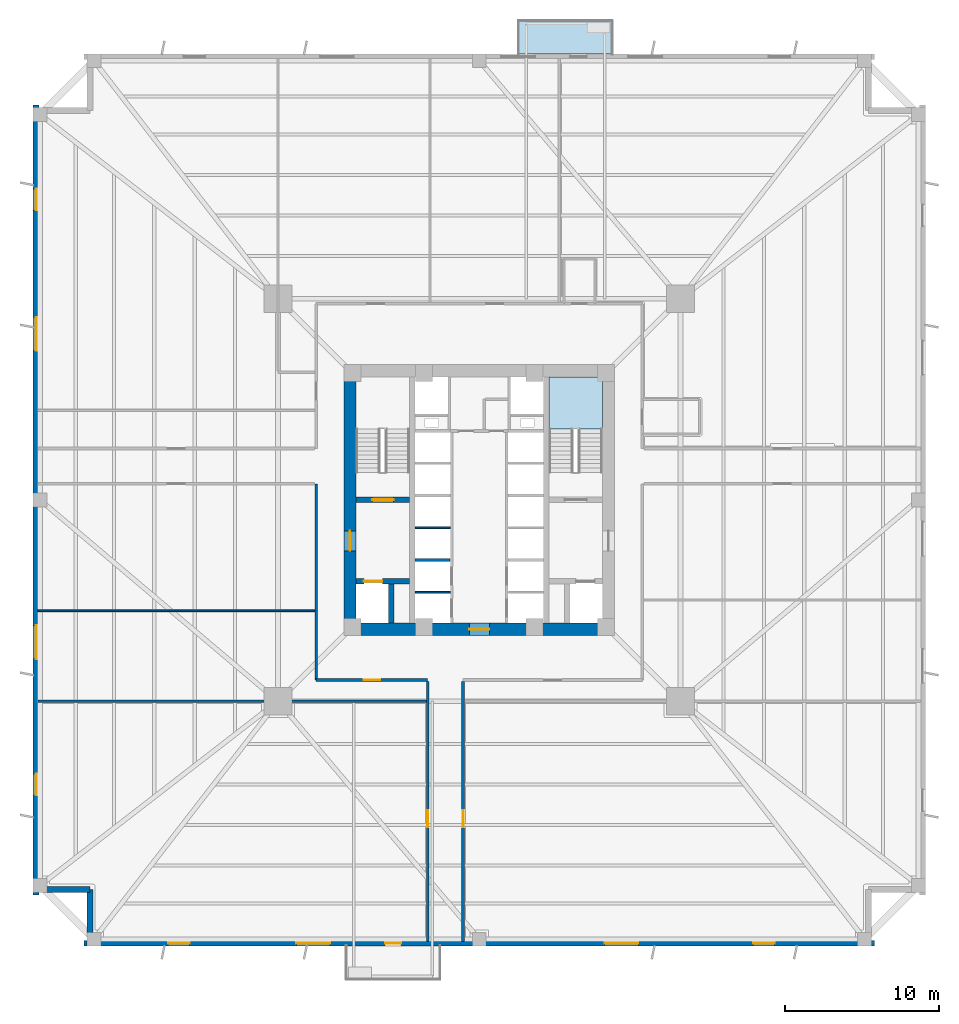
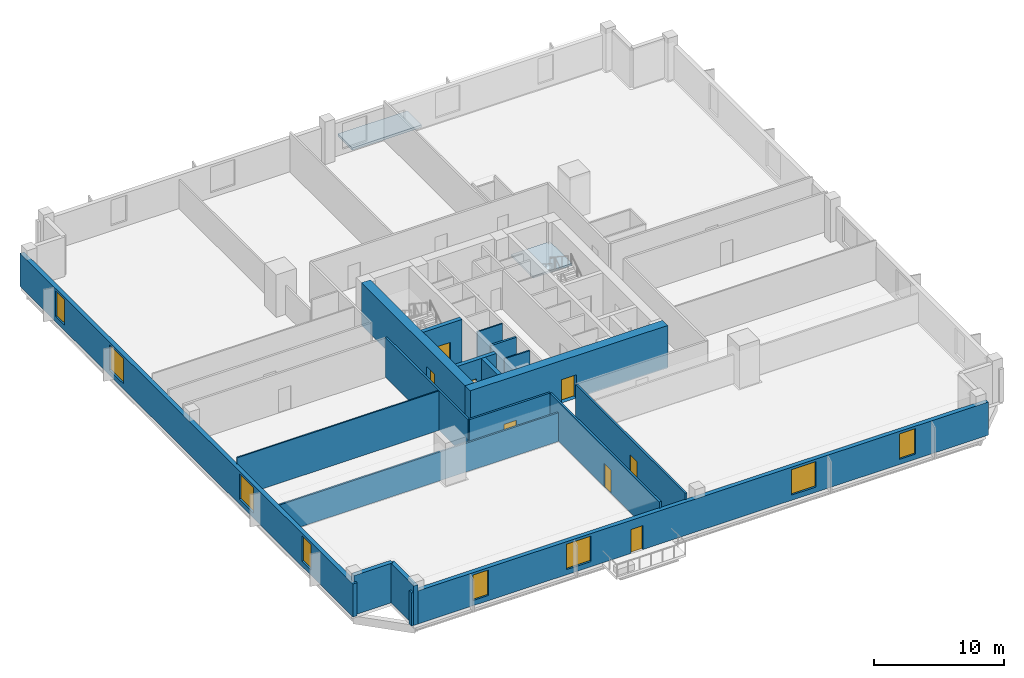
# One storey, part 2 of 8: 18 walls, 8 doors, 8 windows, 2 slabs, 16 openings, 1 element without a shape of its own.
"""IFC4 building model written with IfcOpenShell, lengths in metres."""

import ifcopenshell
import ifcopenshell.guid

model = None  # the IFC model being written
_history = None  # IfcOwnerHistory: only IFC2X3 demands one
_inside = {}  # id of a spatial element -> (the spatial element, [elements in it])
_under = {}  # id of a project, library or spatial element -> (it, [spatial elements below it])
_declared = {}  # id of a project -> (the project, [libraries it declares])
_typed = {}  # id of a type object -> (the type object, [elements of that type])
_made_of = {}  # id of a material, layer set ... -> (it, [elements and type objects made of it])


def new_model(schema):
    """Start an empty IFC model of exactly this schema.

    Asked for "IFC4X3", IfcOpenShell would pick the latest addendum, in which some entities
    have other attributes; the version numbers below select the first issue.
    IFC2X3 requires an IfcOwnerHistory on every rooted entity: one is made here for all.
    """
    global model, _history
    if schema == "IFC4X3":
        model = ifcopenshell.file(schema_version=(4, 3, 0, 0))
    else:
        model = ifcopenshell.file(schema=schema)
    _inside.clear()
    _under.clear()
    _declared.clear()
    _typed.clear()
    _made_of.clear()
    _history = None
    if model.schema == "IFC2X3":
        org = make("IfcOrganization", Name="unknown")
        user = make(
            "IfcPersonAndOrganization",
            ThePerson=make("IfcPerson", FamilyName="unknown"),
            TheOrganization=org,
        )
        app = make(
            "IfcApplication",
            ApplicationDeveloper=org,
            Version="unknown",
            ApplicationFullName="unknown",
            ApplicationIdentifier="unknown",
        )
        _history = make(
            "IfcOwnerHistory",
            OwningUser=user,
            OwningApplication=app,
            ChangeAction="ADDED",
            CreationDate=0,
        )
    return model


def make(cls, **values):
    """One entity of the class cls with the attributes given. An attribute that is None is left unset."""
    return model.create_entity(
        cls, **{name: value for name, value in values.items() if value is not None}
    )


def rooted(cls, **values):
    """An entity with a GlobalId (a new one), such as an element, a storey or a relation."""
    return make(cls, GlobalId=ifcopenshell.guid.new(), OwnerHistory=_history, **values)


def si_unit(unit_type, name, prefix=None):
    """IfcSIUnit, for example si_unit("LENGTHUNIT", "METRE", prefix="MILLI")."""
    return make("IfcSIUnit", UnitType=unit_type, Prefix=prefix, Name=name)


def assignment(units):
    """IfcUnitAssignment: the units of a project."""
    return None if units is None else make("IfcUnitAssignment", Units=units)


def point(xyz):
    """IfcCartesianPoint."""
    return None if xyz is None else make("IfcCartesianPoint", Coordinates=xyz)


def direction(xyz):
    """IfcDirection."""
    return None if xyz is None else make("IfcDirection", DirectionRatios=xyz)


def frame(location, z_axis=None, x_axis=None):
    """IfcAxis2Placement3D, a coordinate frame: its origin and axes. An axis left out is left unset."""
    return make(
        "IfcAxis2Placement3D",
        Location=point(location),
        Axis=direction(z_axis),
        RefDirection=direction(x_axis),
    )


def frame_2d(location, x_axis=None):
    """IfcAxis2Placement2D, a coordinate frame in the plane: its origin and x axis."""
    return make(
        "IfcAxis2Placement2D", Location=point(location), RefDirection=direction(x_axis)
    )


def origin():
    """The frame at (0, 0, 0) with its axes left unset."""
    return frame((0.0, 0.0, 0.0))


def place(relative_to, where):
    """IfcLocalPlacement: puts the frame where relative to a parent placement (None: the world)."""
    return make(
        "IfcLocalPlacement", PlacementRelTo=relative_to, RelativePlacement=where
    )


def context(
    kind, dimensions, precision=None, world=None, true_north=None, identifier=None
):
    """IfcGeometricRepresentationContext, for example the 3D "Model" context."""
    return make(
        "IfcGeometricRepresentationContext",
        ContextIdentifier=identifier,
        ContextType=kind,
        CoordinateSpaceDimension=dimensions,
        Precision=precision,
        WorldCoordinateSystem=world,
        TrueNorth=true_north,
    )


def subcontext(parent, identifier, kind, view, scale=None):
    """IfcGeometricRepresentationSubContext, for example "Body" below "Model"."""
    return make(
        "IfcGeometricRepresentationSubContext",
        ContextIdentifier=identifier,
        ContextType=kind,
        ParentContext=parent,
        TargetScale=scale,
        TargetView=view,
    )


def project(units=None, contexts=None):
    """IfcProject with its units and contexts."""
    return rooted(
        "IfcProject",
        Name="project",
        RepresentationContexts=contexts,
        UnitsInContext=assignment(units),
    )


def spatial(cls, under=None, at=None, **own):
    """A site, building, storey or space (cls), placed at a placement, below another one or the project."""
    s = rooted(cls, ObjectPlacement=at, **own)
    if under is not None:
        _under.setdefault(under.id(), (under, []))[1].append(s)
    return s


def polyline(points):
    """IfcPolyline through the points."""
    return make("IfcPolyline", Points=[point(p) for p in points])


def profile(cls, at=None, kind="AREA", **sizes):
    """A parametric profile (cls). Its sizes go by their IFC names, for example OverallWidth=200.0."""
    return make(cls, ProfileType=kind, Position=at, **sizes)


def rectangle(**sizes):
    """IfcRectangleProfileDef."""
    return profile("IfcRectangleProfileDef", **sizes)


def outline(outer, holes=None, kind="AREA"):
    """IfcArbitraryClosedProfileDef: a profile drawn as a closed curve; with holes, ...WithVoids."""
    if holes is None:
        return make("IfcArbitraryClosedProfileDef", ProfileType=kind, OuterCurve=outer)
    return make(
        "IfcArbitraryProfileDefWithVoids",
        ProfileType=kind,
        OuterCurve=outer,
        InnerCurves=holes,
    )


def extrude(swept, where, along, depth):
    """IfcExtrudedAreaSolid: the profile swept, set in the frame where, extruded along a direction by depth."""
    return make(
        "IfcExtrudedAreaSolid",
        SweptArea=swept,
        Position=where,
        ExtrudedDirection=direction(along),
        Depth=depth,
    )


def shape(context_of_items, identifier, shape_type, items):
    """IfcShapeRepresentation: the items that make up one representation, for example the "Body"."""
    return make(
        "IfcShapeRepresentation",
        ContextOfItems=context_of_items,
        RepresentationIdentifier=identifier,
        RepresentationType=shape_type,
        Items=items,
    )


def source(mapping_origin, context_of_items, identifier, shape_type, items):
    """IfcRepresentationMap: a shape defined once, which mapped items show again and again."""
    return make(
        "IfcRepresentationMap",
        MappingOrigin=mapping_origin,
        MappedRepresentation=shape(context_of_items, identifier, shape_type, items),
    )


def transform(
    local_origin,
    x_axis=None,
    y_axis=None,
    z_axis=None,
    scale=None,
    scale2=None,
    scale3=None,
    uniform=True,
):
    """IfcCartesianTransformationOperator3D, or its non-uniform kind. x_axis, y_axis, z_axis: its Axis1, 2, 3."""
    if uniform:
        return make(
            "IfcCartesianTransformationOperator3D",
            Axis1=direction(x_axis),
            Axis2=direction(y_axis),
            LocalOrigin=point(local_origin),
            Scale=scale,
            Axis3=direction(z_axis),
        )
    return make(
        "IfcCartesianTransformationOperator3DnonUniform",
        Axis1=direction(x_axis),
        Axis2=direction(y_axis),
        LocalOrigin=point(local_origin),
        Scale=scale,
        Axis3=direction(z_axis),
        Scale2=scale2,
        Scale3=scale3,
    )


def mapped(mapping_source, mapping_target):
    """IfcMappedItem: shows the shape of a source again, moved by a transform."""
    return make(
        "IfcMappedItem", MappingSource=mapping_source, MappingTarget=mapping_target
    )


def material(Name=None, Category=None):
    """IfcMaterial."""
    return make("IfcMaterial", Name=Name, Category=Category)


def layer(
    of_material, thickness, ventilated=None, Name=None, Category=None, Priority=None
):
    """IfcMaterialLayer: one layer of a wall or slab, of a material (None: an air gap)."""
    return make(
        "IfcMaterialLayer",
        Material=of_material,
        LayerThickness=thickness,
        IsVentilated=ventilated,
        Name=Name,
        Category=Category,
        Priority=Priority,
    )


def layer_set(layers, Name=None):
    """IfcMaterialLayerSet."""
    return make("IfcMaterialLayerSet", MaterialLayers=layers, LayerSetName=Name)


def made_of(thing, what):
    """Note that an element or type object is made of a material, layer set ...; save() writes the relation."""
    if what is not None:
        _made_of.setdefault(what.id(), (what, []))[1].append(thing)
    return thing


def type_object(cls, material=None, **own):
    """A type object (cls), such as IfcWallType, which elements share."""
    return made_of(rooted(cls, **own), material)


def element(
    cls,
    number,
    at=None,
    inside=None,
    cuts=None,
    type_object=None,
    material=None,
    context=None,
    identifier="Body",
    shape_type=None,
    held_by="IfcProductDefinitionShape",
    body=None,
    shapes=None,
    **own,
):
    """One element of the class cls, such as IfcWall. Its Tag is "e" and its number.

    at: its placement. inside: the storey or other place that contains it. cuts: it is an
    opening in that element (IfcRelVoidsElement). A single representation is given by context,
    identifier, shape_type and body (its items); several are given by shapes. held_by: the class
    of the entity that holds the representations. save() writes the other relations.
    """
    e = rooted(cls, Tag="e%d" % number, ObjectPlacement=at, **own)
    if body is not None:
        shapes = [shape(context, identifier, shape_type, body)]
    if shapes is not None:
        e.Representation = make(held_by, Representations=shapes)
    if inside is not None:
        _inside.setdefault(inside.id(), (inside, []))[1].append(e)
    if cuts is not None:
        rooted(
            "IfcRelVoidsElement", RelatingBuildingElement=cuts, RelatedOpeningElement=e
        )
    if type_object is not None:
        _typed.setdefault(type_object.id(), (type_object, []))[1].append(e)
    return made_of(e, material)


def fill(opening, filler):
    """IfcRelFillsElement: the door or window that sits in an opening."""
    return rooted(
        "IfcRelFillsElement",
        RelatingOpeningElement=opening,
        RelatedBuildingElement=filler,
    )


def aggregate(whole, parts):
    """IfcRelAggregates: a whole, such as a stair, and the parts it consists of."""
    return rooted("IfcRelAggregates", RelatingObject=whole, RelatedObjects=parts)


def save(model, path):
    """Write the relations noted so far, then the file.

    IfcRelAggregates (storeys below a building ...), IfcRelContainedInSpatialStructure (elements
    in a storey), IfcRelDefinesByType, IfcRelAssociatesMaterial and IfcRelDeclares: one each for
    every whole, place, type object, material and project.
    """
    for whole, parts in _under.values():
        aggregate(whole, parts)
    for where, things in _inside.values():
        rooted(
            "IfcRelContainedInSpatialStructure",
            RelatedElements=things,
            RelatingStructure=where,
        )
    for kind, things in _typed.values():
        rooted("IfcRelDefinesByType", RelatedObjects=things, RelatingType=kind)
    for what, things in _made_of.values():
        rooted("IfcRelAssociatesMaterial", RelatedObjects=things, RelatingMaterial=what)
    for by, libraries in _declared.values():
        rooted("IfcRelDeclares", RelatingContext=by, RelatedDefinitions=libraries)
    model.write(path)


model = new_model("IFC4")

# Units and contexts
model_context = context("Model", 3, precision=1e-05, world=origin(), true_north=direction((0.0, 1.0)))
body_context = subcontext(model_context, "Body", "Model", "MODEL_VIEW")
ifc_project = project(units=[si_unit("LENGTHUNIT", "METRE"), si_unit("AREAUNIT", "SQUARE_METRE"), si_unit("VOLUMEUNIT", "CUBIC_METRE"), si_unit("PLANEANGLEUNIT", "RADIAN"), si_unit("MASSUNIT", "GRAM", prefix="KILO"), si_unit("THERMODYNAMICTEMPERATUREUNIT", "KELVIN")], contexts=[model_context])

# Site, building, storey
site_placement = place(None, origin())
site = spatial("IfcSite", under=ifc_project, at=site_placement, CompositionType="ELEMENT")
building_placement = place(site_placement, origin())
building = spatial("IfcBuilding", under=site, at=building_placement, Name="Kosmvard Interchange Tower", CompositionType="ELEMENT")
storey_placement = place(building_placement, frame((0.0, 0.0, 66.0)))
storey = spatial("IfcBuildingStorey", under=building, at=storey_placement, Name="L15", CompositionType="ELEMENT", Elevation=66.0)

# Stair, slab
ifc_material_1 = material(Name="Concrete C50/60", Category="concrete")
stair_type = type_object("IfcStairType", Name="Dog-Leg Core Exit Stair H4000 C50/60", PredefinedType="HALF_TURN_STAIR", material=ifc_material_1)
stair_placement = place(storey_placement, origin())
stair = element("IfcStair", 1, at=stair_placement, inside=storey, type_object=stair_type, Name="L15 Protected Exit Stair ST-2", PredefinedType="HALF_TURN_STAIR")
ifc_layer_1 = layer(ifc_material_1, 0.199951171875, Name="Concrete C50/60")
ifc_layer_set_1 = layer_set([ifc_layer_1], Name="Concrete C50/60")
slab_type_1 = type_object("IfcSlabType", Name="Stair Half-Landing Slab 200 C50/60", PredefinedType="LANDING", material=ifc_layer_set_1)
slab_1_placement = place(storey_placement, frame((0.0, 0.0, 1.800048828125)))
slab_1 = element("IfcSlab", 2, at=slab_1_placement, type_object=slab_type_1, Name="ST-2 landing 1", PredefinedType="LANDING", context=body_context, shape_type="SweptSolid", body=[
    extrude(outline(polyline([(8.0, 4.60009765625), (8.0, 8.0), (4.5400390625, 8.0), (4.5400390625, 4.60009765625), (8.0, 4.60009765625)])), origin(), (0.0, 0.0, 1.0), 0.199951171875),
])
aggregate(stair, [slab_1])

# Slab
ifc_layer_2 = layer(ifc_material_1, 0.22998046875, Name="Concrete C50/60")
ifc_layer_set_2 = layer_set([ifc_layer_2], Name="Concrete C50/60")
slab_type_2 = type_object("IfcSlabType", Name="Tree-Planter Cantilever Balcony Slab 230 C50/60", PredefinedType="FLOOR", material=ifc_layer_set_2)
slab_2_placement = place(storey_placement, frame((0.0, 0.0, -0.22998046875)))
element("IfcSlab", 3, at=slab_2_placement, inside=storey, type_object=slab_type_2, Name="L15 Outdoor Terrace Balcony Slab BAL-L15-N", PredefinedType="FLOOR", context=body_context, shape_type="SweptSolid", body=[
    extrude(outline(polyline([(2.5, 29.0), (8.699951171875, 29.0), (8.699951171875, 31.199951171875), (2.5, 31.199951171875), (2.5, 29.0)])), origin(), (0.0, 0.0, 1.0), 0.22998046875),
])

# Wall
ifc_material_2 = material(Name="Acoustic gypsum partition system")
ifc_layer_3 = layer(ifc_material_2, 0.14990234375, Name="Acoustic gypsum partition system")
ifc_layer_set_3 = layer_set([ifc_layer_3], Name="Acoustic gypsum partition system")
wall_type_1 = type_object("IfcWallType", Name="Acoustic Suite & Meeting Partition 150", PredefinedType="PARTITIONING", material=ifc_layer_set_3)
wall_1_placement = place(storey_placement, frame((-28.68505859375, -13.0810546875, 0.0), z_axis=(0.0, 0.0, 1.0), x_axis=(1.0, 0.0, 0.0)))
element("IfcWall", 4, at=wall_1_placement, inside=storey, type_object=wall_type_1, Name="L15 Room Partition 08.1", PredefinedType="PARTITIONING", context=body_context, shape_type="SweptSolid", body=[
    extrude(rectangle(XDim=25.239990234375, YDim=0.14990234375, at=frame_2d((12.6201171875, 0.0))), origin(), (0.0, 0.0, 1.0), 2.7119140625),
])

# Wall, opening, door
ifc_material_3 = material(Name="Fire-rated gypsum partition system")
ifc_layer_4 = layer(ifc_material_3, 0.179931640625, Name="Fire-rated gypsum partition system")
ifc_layer_set_4 = layer_set([ifc_layer_4], Name="Fire-rated gypsum partition system")
wall_type_2 = type_object("IfcWallType", Name="Corridor & Hotel Compartment Partition 180", PredefinedType="PARTITIONING", material=ifc_layer_set_4)
wall_2_placement = place(storey_placement, frame((-10.60009765625, -11.699951171875, 0.0), z_axis=(0.0, 0.0, 1.0), x_axis=(1.0, 0.0, 0.0)))
wall_2 = element("IfcWall", 5, at=wall_2_placement, inside=storey, type_object=wall_type_2, Name="L15 Corridor Wall CSW", PredefinedType="PARTITIONING", context=body_context, shape_type="SweptSolid", body=[
    extrude(rectangle(XDim=7.25, YDim=0.179931640625, at=frame_2d((3.625, 0.0))), origin(), (0.0, 0.0, 1.0), 3.719970703125),
])
opening_1_placement = place(wall_2_placement, frame((3.074951171875, 0.0, 0.0)))
opening_1 = element("IfcOpeningElement", 6, at=opening_1_placement, cuts=wall_2, Name="Opening L15-D12", PredefinedType="OPENING", context=body_context, shape_type="SweptSolid", body=[
    extrude(rectangle(XDim=1.10009765625, YDim=2.199951171875, at=frame_2d((0.550048828125, 1.10009765625))), frame((0.0, 0.10009765625, 0.0), z_axis=(0.0, -1.0, 0.0), x_axis=(1.0, 0.0, 0.0)), (0.0, 0.0, 1.0), 0.199951171875),
])
ifc_material_4 = material(Name="Engineered oak fire-rated timber", Category="wood")
door_type_1 = type_object("IfcDoorType", Name="Office Suite Entrance Door 1100x2200 FD30S", OperationType="NOTDEFINED", PredefinedType="DOOR", material=ifc_material_4)
shared_shape_1 = source(origin(), body_context, "Body", "SweptSolid", [
    extrude(rectangle(XDim=1.10009765625, YDim=2.199951171875, at=frame_2d((0.550048828125, 1.10009765625))), frame((0.0, 0.02490234375, 0.0), z_axis=(0.0, -1.0, 0.0), x_axis=(1.0, 0.0, 0.0)), (0.0, 0.0, 1.0), 0.050048828125),
])
door_1_placement = place(opening_1_placement, frame((1.10009765625, 0.0, 0.0), z_axis=(0.0, 0.0, 1.0), x_axis=(-1.0, 0.0, 0.0)))
door_1 = element("IfcDoor", 7, at=door_1_placement, inside=storey, type_object=door_type_1, Name="L15 West Team Office 4 Door", OperationType="SINGLE_SWING_RIGHT", OverallHeight=2.199951171875, OverallWidth=1.10009765625, PredefinedType="DOOR", context=body_context, shape_type="MappedRepresentation", body=[
    mapped(shared_shape_1, transform((0.0, 0.0, 0.0), scale=1.0)),
])
fill(opening_1, door_1)

# Wall
wall_3_placement = place(storey_placement, frame((-10.60009765625, -11.699951171875, 0.0), z_axis=(0.0, 0.0, 1.0), x_axis=(0.0, 1.0, 0.0)))
element("IfcWall", 8, at=wall_3_placement, inside=storey, type_object=wall_type_2, Name="L15 Corridor Wall CWS", PredefinedType="PARTITIONING", context=body_context, shape_type="SweptSolid", body=[
    extrude(rectangle(XDim=12.75, YDim=0.179931640625, at=frame_2d((6.375, 0.0))), origin(), (0.0, 0.0, 1.0), 3.719970703125),
])

# Wall, opening, door
wall_4_placement = place(storey_placement, frame((-3.35009765625, -28.68505859375, 0.0), z_axis=(0.0, 0.0, 1.0), x_axis=(0.0, 1.0, 0.0)))
wall_4 = element("IfcWall", 9, at=wall_4_placement, inside=storey, type_object=wall_type_2, Name="L15 Corridor Wall SSW", PredefinedType="PARTITIONING", context=body_context, shape_type="SweptSolid", body=[
    extrude(rectangle(XDim=16.885009765625, YDim=0.179931640625, at=frame_2d((8.4423828125, 0.0))), origin(), (0.0, 0.0, 1.0), 3.719970703125),
])
opening_2_placement = place(wall_4_placement, frame((7.41650390625, 0.0, 0.0)))
opening_2 = element("IfcOpeningElement", 10, at=opening_2_placement, cuts=wall_4, Name="Opening L15-D13", PredefinedType="OPENING", context=body_context, shape_type="SweptSolid", body=[
    extrude(rectangle(XDim=1.10009765625, YDim=2.199951171875, at=frame_2d((0.550048828125, 1.10009765625))), frame((0.0, 0.10009765625, 0.0), z_axis=(0.0, -1.0, 0.0), x_axis=(1.0, 0.0, 0.0)), (0.0, 0.0, 1.0), 0.199951171875),
])
door_2_placement = place(opening_2_placement, origin())
door_2 = element("IfcDoor", 11, at=door_2_placement, inside=storey, type_object=door_type_1, Name="L15 South-West Corner Office Door", OperationType="SINGLE_SWING_LEFT", OverallHeight=2.199951171875, OverallWidth=1.10009765625, PredefinedType="DOOR", context=body_context, shape_type="MappedRepresentation", body=[
    mapped(shared_shape_1, transform((0.0, 0.0, 0.0), scale=1.0)),
])
fill(opening_2, door_2)

wall_5_placement = place(storey_placement, frame((-1.050048828125, -28.68505859375, 0.0), z_axis=(0.0, 0.0, 1.0), x_axis=(0.0, 1.0, 0.0)))
wall_5 = element("IfcWall", 12, at=wall_5_placement, inside=storey, type_object=wall_type_2, Name="L15 Corridor Wall SSE", PredefinedType="PARTITIONING", context=body_context, shape_type="SweptSolid", body=[
    extrude(rectangle(XDim=16.885009765625, YDim=0.179931640625, at=frame_2d((8.4423828125, 0.0))), origin(), (0.0, 0.0, 1.0), 3.719970703125),
])
opening_3_placement = place(wall_5_placement, frame((7.41650390625, 0.0, 0.0)))
opening_3 = element("IfcOpeningElement", 13, at=opening_3_placement, cuts=wall_5, Name="Opening L15-D10", PredefinedType="OPENING", context=body_context, shape_type="SweptSolid", body=[
    extrude(rectangle(XDim=1.10009765625, YDim=2.199951171875, at=frame_2d((0.550048828125, 1.10009765625))), frame((0.0, 0.10009765625, 0.0), z_axis=(0.0, -1.0, 0.0), x_axis=(1.0, 0.0, 0.0)), (0.0, 0.0, 1.0), 0.199951171875),
])
door_3_placement = place(opening_3_placement, frame((1.10009765625, 0.0, 0.0), z_axis=(0.0, 0.0, 1.0), x_axis=(-1.0, 0.0, 0.0)))
door_3 = element("IfcDoor", 14, at=door_3_placement, inside=storey, type_object=door_type_1, Name="L15 South-East Corner Office Door", OperationType="SINGLE_SWING_RIGHT", OverallHeight=2.199951171875, OverallWidth=1.10009765625, PredefinedType="DOOR", context=body_context, shape_type="MappedRepresentation", body=[
    mapped(shared_shape_1, transform((0.0, 0.0, 0.0), scale=1.0)),
])
fill(opening_3, door_3)

ifc_material_5 = material(Name="Concrete C80/95", Category="concrete")
ifc_layer_5 = layer(ifc_material_5, 0.800048828125, Name="Concrete C80/95")
ifc_layer_set_5 = layer_set([ifc_layer_5], Name="Concrete C80/95")
wall_type_3 = type_object("IfcWallType", Name="Lower Core Shear Wall 800 C80/95", PredefinedType="SHEAR", material=ifc_layer_set_5)
wall_6_placement = place(storey_placement, frame((-8.800048828125, -8.39990234375, 0.0), z_axis=(0.0, 0.0, 1.0), x_axis=(1.0, 0.0, 0.0)))
wall_6 = element("IfcWall", 15, at=wall_6_placement, inside=storey, type_object=wall_type_3, Name="L15 Core Shear Wall CW-S", PredefinedType="SHEAR", context=body_context, shape_type="SweptSolid", body=[
    extrude(rectangle(XDim=17.60009765625, YDim=0.800048828125, at=frame_2d((8.800048828125, 0.0))), origin(), (0.0, 0.0, 1.0), 4.0),
])
opening_4_placement = place(wall_6_placement, frame((8.14990234375, 0.0, 0.0)))
opening_4 = element("IfcOpeningElement", 16, at=opening_4_placement, cuts=wall_6, Name="Opening L15-LD0", PredefinedType="OPENING", context=body_context, shape_type="SweptSolid", body=[
    extrude(rectangle(XDim=1.300048828125, YDim=2.199951171875, at=frame_2d((0.64990234375, 1.10009765625))), frame((0.0, 0.41015625, 0.0), z_axis=(0.0, -1.0, 0.0), x_axis=(1.0, 0.0, 0.0)), (0.0, 0.0, 1.0), 0.820068359375),
])
ifc_material_6 = material(Name="Painted fire-rated steel leaf", Category="steel")
door_type_2 = type_object("IfcDoorType", Name="Firefighting Lobby Door 1300x2200 EI60", OperationType="NOTDEFINED", PredefinedType="DOOR", material=ifc_material_6)
shared_shape_2 = source(origin(), body_context, "Body", "SweptSolid", [
    extrude(rectangle(XDim=1.300048828125, YDim=2.199951171875, at=frame_2d((0.64990234375, 1.10009765625))), frame((0.0, 0.02490234375, 0.0), z_axis=(0.0, -1.0, 0.0), x_axis=(1.0, 0.0, 0.0)), (0.0, 0.0, 1.0), 0.050048828125),
])
door_4_placement = place(opening_4_placement, frame((1.300048828125, 0.0, 0.0), z_axis=(0.0, 0.0, 1.0), x_axis=(-1.0, 0.0, 0.0)))
door_4 = element("IfcDoor", 17, at=door_4_placement, inside=storey, type_object=door_type_2, Name="L15 Passenger Lift Lobby South Door", OperationType="SINGLE_SWING_RIGHT", OverallHeight=2.199951171875, OverallWidth=1.300048828125, PredefinedType="DOOR", context=body_context, shape_type="MappedRepresentation", body=[
    mapped(shared_shape_2, transform((0.0, 0.0, 0.0), scale=1.0)),
])
fill(opening_4, door_4)

wall_7_placement = place(storey_placement, frame((-8.39990234375, -8.0, 0.0), z_axis=(0.0, 0.0, 1.0), x_axis=(0.0, 1.0, 0.0)))
wall_7 = element("IfcWall", 18, at=wall_7_placement, inside=storey, type_object=wall_type_3, Name="L15 Core Shear Wall CW-W", PredefinedType="SHEAR", context=body_context, shape_type="SweptSolid", body=[
    extrude(rectangle(XDim=16.0, YDim=0.800048828125, at=frame_2d((8.0, 0.0))), origin(), (0.0, 0.0, 1.0), 4.0),
])
opening_5_placement = place(wall_7_placement, frame((4.68994140625, 0.0, 0.0)))
opening_5 = element("IfcOpeningElement", 19, at=opening_5_placement, cuts=wall_7, Name="Opening L15-FD1", PredefinedType="OPENING", context=body_context, shape_type="SweptSolid", body=[
    extrude(rectangle(XDim=1.300048828125, YDim=2.199951171875, at=frame_2d((0.64990234375, 1.10009765625))), frame((0.0, 0.41015625, 0.0), z_axis=(0.0, -1.0, 0.0), x_axis=(1.0, 0.0, 0.0)), (0.0, 0.0, 1.0), 0.820068359375),
])
door_5_placement = place(opening_5_placement, frame((1.300048828125, 0.0, 0.0), z_axis=(0.0, 0.0, 1.0), x_axis=(-1.0, 0.0, 0.0)))
door_5 = element("IfcDoor", 20, at=door_5_placement, inside=storey, type_object=door_type_2, Name="L15 Firefighting Lobby West Door", OperationType="SINGLE_SWING_LEFT", OverallHeight=2.199951171875, OverallWidth=1.300048828125, PredefinedType="DOOR", context=body_context, shape_type="MappedRepresentation", body=[
    mapped(shared_shape_2, transform((0.0, 0.0, 0.0), scale=1.0)),
])
fill(opening_5, door_5)

# Wall, openings, door, windows
ifc_material_7 = material(Name="Precast concrete C45/55", Category="concrete")
ifc_layer_6 = layer(ifc_material_7, 0.3798828125, Name="Precast concrete C45/55")
ifc_layer_set_6 = layer_set([ifc_layer_6], Name="Precast concrete C45/55")
wall_type_4 = type_object("IfcWallType", Name="Lower Tower Precast Pier Wall 380 C45/55", PredefinedType="STANDARD", material=ifc_layer_set_6)
wall_8_placement = place(storey_placement, frame((-25.68994140625, -28.81005859375, 0.0), z_axis=(0.0, 0.0, 1.0), x_axis=(1.0, 0.0, 0.0)))
wall_8 = element("IfcWall", 21, at=wall_8_placement, inside=storey, type_object=wall_type_4, Name="L15 Precast Facade Wall F-S", PredefinedType="STANDARD", context=body_context, shape_type="SweptSolid", body=[
    extrude(rectangle(XDim=51.3798828125, YDim=0.3798828125, at=frame_2d((25.68994140625, 0.0))), origin(), (0.0, 0.0, 1.0), 3.1201171875),
])
opening_6_placement = place(wall_8_placement, frame((19.56494140625, 0.0, 0.0)))
opening_6 = element("IfcOpeningElement", 22, at=opening_6_placement, cuts=wall_8, Name="Opening L15-BDS", PredefinedType="OPENING", context=body_context, shape_type="SweptSolid", body=[
    extrude(rectangle(XDim=1.050048828125, YDim=2.25, at=frame_2d((0.52490234375, 1.125))), frame((0.0, 0.199951171875, 0.0), z_axis=(0.0, -1.0, 0.0), x_axis=(1.0, 0.0, 0.0)), (0.0, 0.0, 1.0), 0.39990234375),
])
opening_7_placement = place(wall_8_placement, frame((5.465576171875, 0.0, 0.489990234375)))
opening_7 = element("IfcOpeningElement", 23, at=opening_7_placement, cuts=wall_8, Name="Opening L15-W01", PredefinedType="OPENING", context=body_context, shape_type="SweptSolid", body=[
    extrude(rectangle(XDim=1.39990234375, YDim=2.39990234375, at=frame_2d((0.699951171875, 1.199951171875))), frame((0.0, 0.199951171875, 0.0), z_axis=(0.0, -1.0, 0.0), x_axis=(1.0, 0.0, 0.0)), (0.0, 0.0, 1.0), 0.39990234375),
])
opening_8_placement = place(wall_8_placement, frame((13.80029296875, 0.0, 0.489990234375)))
opening_8 = element("IfcOpeningElement", 24, at=opening_8_placement, cuts=wall_8, Name="Opening L15-W02", PredefinedType="OPENING", context=body_context, shape_type="SweptSolid", body=[
    extrude(rectangle(XDim=2.199951171875, YDim=2.39990234375, at=frame_2d((1.10009765625, 1.199951171875))), frame((0.0, 0.199951171875, 0.0), z_axis=(0.0, -1.0, 0.0), x_axis=(1.0, 0.0, 0.0)), (0.0, 0.0, 1.0), 0.39990234375),
])
opening_9_placement = place(wall_8_placement, frame((33.83837890625, 0.0, 0.489990234375)))
opening_9 = element("IfcOpeningElement", 25, at=opening_9_placement, cuts=wall_8, Name="Opening L15-W03", PredefinedType="OPENING", context=body_context, shape_type="SweptSolid", body=[
    extrude(rectangle(XDim=2.199951171875, YDim=2.39990234375, at=frame_2d((1.10009765625, 1.199951171875))), frame((0.0, 0.199951171875, 0.0), z_axis=(0.0, -1.0, 0.0), x_axis=(1.0, 0.0, 0.0)), (0.0, 0.0, 1.0), 0.39990234375),
])
opening_10_placement = place(wall_8_placement, frame((43.48681640625, 0.0, 0.489990234375)))
opening_10 = element("IfcOpeningElement", 26, at=opening_10_placement, cuts=wall_8, Name="Opening L15-W04", PredefinedType="OPENING", context=body_context, shape_type="SweptSolid", body=[
    extrude(rectangle(XDim=1.39990234375, YDim=2.39990234375, at=frame_2d((0.699951171875, 1.199951171875))), frame((0.0, 0.199951171875, 0.0), z_axis=(0.0, -1.0, 0.0), x_axis=(1.0, 0.0, 0.0)), (0.0, 0.0, 1.0), 0.39990234375),
])
ifc_material_8 = material(Name="Anodised aluminium and safety glass", Category="aluminium")
door_type_3 = type_object("IfcDoorType", Name="Tree-Balcony Glazed Door 1050x2250", OperationType="NOTDEFINED", PredefinedType="DOOR", material=ifc_material_8)
shared_shape_3 = source(origin(), body_context, "Body", "SweptSolid", [
    extrude(rectangle(XDim=1.050048828125, YDim=2.25, at=frame_2d((0.52490234375, 1.125))), frame((0.0, 0.02490234375, 0.0), z_axis=(0.0, -1.0, 0.0), x_axis=(1.0, 0.0, 0.0)), (0.0, 0.0, 1.0), 0.050048828125),
])
door_6_placement = place(opening_6_placement, origin())
door_6 = element("IfcDoor", 27, at=door_6_placement, inside=storey, type_object=door_type_3, Name="L15 Tree-Balcony Door BAL-L15-S", OperationType="SINGLE_SWING_RIGHT", OverallHeight=2.25, OverallWidth=1.050048828125, PredefinedType="DOOR", context=body_context, shape_type="MappedRepresentation", body=[
    mapped(shared_shape_3, transform((0.0, 0.0, 0.0), scale=1.0)),
])
fill(opening_6, door_6)
ifc_material_9 = material(Name="Low-E solar-control double glazing", Category="glass")
window_type_1 = type_object("IfcWindowType", Name="Notched Corner Feature Window 1400x2400", PartitioningType="SINGLE_PANEL", PredefinedType="WINDOW", material=ifc_material_9)
shared_shape_4 = source(origin(), body_context, "Body", "SweptSolid", [
    extrude(rectangle(XDim=1.39990234375, YDim=2.39990234375, at=frame_2d((0.699951171875, 1.199951171875))), frame((0.0, 0.030029296875, 0.0), z_axis=(0.0, -1.0, 0.0), x_axis=(1.0, 0.0, 0.0)), (0.0, 0.0, 1.0), 0.06005859375),
])
window_1_placement = place(opening_7_placement, origin())
window_1 = element("IfcWindow", 28, at=window_1_placement, inside=storey, type_object=window_type_1, Name="L15 Facade Punched Window 01", OverallHeight=2.39990234375, OverallWidth=1.39990234375, PartitioningType="SINGLE_PANEL", PredefinedType="WINDOW", context=body_context, shape_type="MappedRepresentation", body=[
    mapped(shared_shape_4, transform((0.0, 0.0, 0.0), scale=1.0)),
])
fill(opening_7, window_1)
window_2_placement = place(opening_10_placement, origin())
window_2 = element("IfcWindow", 29, at=window_2_placement, inside=storey, type_object=window_type_1, Name="L15 Facade Punched Window 04", OverallHeight=2.39990234375, OverallWidth=1.39990234375, PartitioningType="SINGLE_PANEL", PredefinedType="WINDOW", context=body_context, shape_type="MappedRepresentation", body=[
    mapped(shared_shape_4, transform((0.0, 0.0, 0.0), scale=1.0)),
])
fill(opening_10, window_2)
window_type_2 = type_object("IfcWindowType", Name="Zone 1 Office Punched Window 2200x2400", PartitioningType="SINGLE_PANEL", PredefinedType="WINDOW", material=ifc_material_9)
shared_shape_5 = source(origin(), body_context, "Body", "SweptSolid", [
    extrude(rectangle(XDim=2.199951171875, YDim=2.39990234375, at=frame_2d((1.10009765625, 1.199951171875))), frame((0.0, 0.030029296875, 0.0), z_axis=(0.0, -1.0, 0.0), x_axis=(1.0, 0.0, 0.0)), (0.0, 0.0, 1.0), 0.06005859375),
])
window_3_placement = place(opening_8_placement, origin())
window_3 = element("IfcWindow", 30, at=window_3_placement, inside=storey, type_object=window_type_2, Name="L15 Facade Punched Window 02", OverallHeight=2.39990234375, OverallWidth=2.199951171875, PartitioningType="SINGLE_PANEL", PredefinedType="WINDOW", context=body_context, shape_type="MappedRepresentation", body=[
    mapped(shared_shape_5, transform((0.0, 0.0, 0.0), scale=1.0)),
])
fill(opening_8, window_3)
window_4_placement = place(opening_9_placement, origin())
window_4 = element("IfcWindow", 31, at=window_4_placement, inside=storey, type_object=window_type_2, Name="L15 Facade Punched Window 03", OverallHeight=2.39990234375, OverallWidth=2.199951171875, PartitioningType="SINGLE_PANEL", PredefinedType="WINDOW", context=body_context, shape_type="MappedRepresentation", body=[
    mapped(shared_shape_5, transform((0.0, 0.0, 0.0), scale=1.0)),
])
fill(opening_9, window_4)

# Wall, openings, windows
wall_9_placement = place(storey_placement, frame((-28.81005859375, 25.68994140625, 0.0), z_axis=(0.0, 0.0, 1.0), x_axis=(0.0, -1.0, 0.0)))
wall_9 = element("IfcWall", 32, at=wall_9_placement, inside=storey, type_object=wall_type_4, Name="L15 Precast Facade Wall F-W", PredefinedType="STANDARD", context=body_context, shape_type="SweptSolid", body=[
    extrude(rectangle(XDim=51.3798828125, YDim=0.3798828125, at=frame_2d((25.68994140625, 0.0))), origin(), (0.0, 0.0, 1.0), 3.1201171875),
])
opening_11_placement = place(wall_9_placement, frame((5.465576171875, 0.0, 0.489990234375)))
opening_11 = element("IfcOpeningElement", 33, at=opening_11_placement, cuts=wall_9, Name="Opening L15-W15", PredefinedType="OPENING", context=body_context, shape_type="SweptSolid", body=[
    extrude(rectangle(XDim=1.39990234375, YDim=2.39990234375, at=frame_2d((0.699951171875, 1.199951171875))), frame((0.0, 0.199951171875, 0.0), z_axis=(0.0, -1.0, 0.0), x_axis=(1.0, 0.0, 0.0)), (0.0, 0.0, 1.0), 0.39990234375),
])
opening_12_placement = place(wall_9_placement, frame((13.80029296875, 0.0, 0.489990234375)))
opening_12 = element("IfcOpeningElement", 34, at=opening_12_placement, cuts=wall_9, Name="Opening L15-W16", PredefinedType="OPENING", context=body_context, shape_type="SweptSolid", body=[
    extrude(rectangle(XDim=2.199951171875, YDim=2.39990234375, at=frame_2d((1.10009765625, 1.199951171875))), frame((0.0, 0.199951171875, 0.0), z_axis=(0.0, -1.0, 0.0), x_axis=(1.0, 0.0, 0.0)), (0.0, 0.0, 1.0), 0.39990234375),
])
opening_13_placement = place(wall_9_placement, frame((33.83837890625, 0.0, 0.489990234375)))
opening_13 = element("IfcOpeningElement", 35, at=opening_13_placement, cuts=wall_9, Name="Opening L15-W17", PredefinedType="OPENING", context=body_context, shape_type="SweptSolid", body=[
    extrude(rectangle(XDim=2.199951171875, YDim=2.39990234375, at=frame_2d((1.10009765625, 1.199951171875))), frame((0.0, 0.199951171875, 0.0), z_axis=(0.0, -1.0, 0.0), x_axis=(1.0, 0.0, 0.0)), (0.0, 0.0, 1.0), 0.39990234375),
])
opening_14_placement = place(wall_9_placement, frame((43.48681640625, 0.0, 0.489990234375)))
opening_14 = element("IfcOpeningElement", 36, at=opening_14_placement, cuts=wall_9, Name="Opening L15-W18", PredefinedType="OPENING", context=body_context, shape_type="SweptSolid", body=[
    extrude(rectangle(XDim=1.39990234375, YDim=2.39990234375, at=frame_2d((0.699951171875, 1.199951171875))), frame((0.0, 0.199951171875, 0.0), z_axis=(0.0, -1.0, 0.0), x_axis=(1.0, 0.0, 0.0)), (0.0, 0.0, 1.0), 0.39990234375),
])
window_5_placement = place(opening_11_placement, origin())
window_5 = element("IfcWindow", 37, at=window_5_placement, inside=storey, type_object=window_type_1, Name="L15 Facade Punched Window 15", OverallHeight=2.39990234375, OverallWidth=1.39990234375, PartitioningType="SINGLE_PANEL", PredefinedType="WINDOW", context=body_context, shape_type="MappedRepresentation", body=[
    mapped(shared_shape_4, transform((0.0, 0.0, 0.0), scale=1.0)),
])
fill(opening_11, window_5)
window_6_placement = place(opening_14_placement, origin())
window_6 = element("IfcWindow", 38, at=window_6_placement, inside=storey, type_object=window_type_1, Name="L15 Facade Punched Window 18", OverallHeight=2.39990234375, OverallWidth=1.39990234375, PartitioningType="SINGLE_PANEL", PredefinedType="WINDOW", context=body_context, shape_type="MappedRepresentation", body=[
    mapped(shared_shape_4, transform((0.0, 0.0, 0.0), scale=1.0)),
])
fill(opening_14, window_6)
window_7_placement = place(opening_12_placement, origin())
window_7 = element("IfcWindow", 39, at=window_7_placement, inside=storey, type_object=window_type_2, Name="L15 Facade Punched Window 16", OverallHeight=2.39990234375, OverallWidth=2.199951171875, PartitioningType="SINGLE_PANEL", PredefinedType="WINDOW", context=body_context, shape_type="MappedRepresentation", body=[
    mapped(shared_shape_5, transform((0.0, 0.0, 0.0), scale=1.0)),
])
fill(opening_12, window_7)
window_8_placement = place(opening_13_placement, origin())
window_8 = element("IfcWindow", 40, at=window_8_placement, inside=storey, type_object=window_type_2, Name="L15 Facade Punched Window 17", OverallHeight=2.39990234375, OverallWidth=2.199951171875, PartitioningType="SINGLE_PANEL", PredefinedType="WINDOW", context=body_context, shape_type="MappedRepresentation", body=[
    mapped(shared_shape_5, transform((0.0, 0.0, 0.0), scale=1.0)),
])
fill(opening_13, window_8)

# Walls
wall_10_placement = place(storey_placement, frame((-28.81005859375, -25.31005859375, 0.0), z_axis=(0.0, 0.0, 1.0), x_axis=(1.0, 0.0, 0.0)))
element("IfcWall", 41, at=wall_10_placement, inside=storey, type_object=wall_type_4, Name="L15 Precast Facade Wall N-SW1", PredefinedType="STANDARD", context=body_context, shape_type="SweptSolid", body=[
    extrude(rectangle(XDim=3.5, YDim=0.3798828125, at=frame_2d((1.75, 0.0))), origin(), (0.0, 0.0, 1.0), 3.719970703125),
])
wall_11_placement = place(storey_placement, frame((-25.31005859375, -25.31005859375, 0.0), z_axis=(0.0, 0.0, 1.0), x_axis=(0.0, -1.0, 0.0)))
element("IfcWall", 42, at=wall_11_placement, inside=storey, type_object=wall_type_4, Name="L15 Precast Facade Wall N-SW2", PredefinedType="STANDARD", context=body_context, shape_type="SweptSolid", body=[
    extrude(rectangle(XDim=3.68994140625, YDim=0.3798828125, at=frame_2d((1.844970703125, 0.0))), origin(), (0.0, 0.0, 1.0), 3.719970703125),
])
ifc_material_10 = material(Name="Gypsum board partition system")
ifc_layer_7 = layer(ifc_material_10, 0.1201171875, Name="Gypsum board partition system")
ifc_layer_set_7 = layer_set([ifc_layer_7], Name="Gypsum board partition system")
wall_type_5 = type_object("IfcWallType", Name="Office Cellular Partition 120", PredefinedType="PARTITIONING", material=ifc_layer_set_7)
wall_12_placement = place(storey_placement, frame((-28.68505859375, -7.199951171875, 0.0), z_axis=(0.0, 0.0, 1.0), x_axis=(1.0, 0.0, 0.0)))
element("IfcWall", 43, at=wall_12_placement, inside=storey, type_object=wall_type_5, Name="L15 Room Partition 09.1", PredefinedType="PARTITIONING", context=body_context, shape_type="SweptSolid", body=[
    extrude(rectangle(XDim=17.989990234375, YDim=0.1201171875, at=frame_2d((8.9951171875, 0.0))), origin(), (0.0, 0.0, 1.0), 3.719970703125),
])
ifc_material_11 = material(Name="Concrete blockwork masonry", Category="masonry")
ifc_layer_8 = layer(ifc_material_11, 0.179931640625, Name="Concrete blockwork masonry")
ifc_layer_set_8 = layer_set([ifc_layer_8], Name="Concrete blockwork masonry")
wall_type_6 = type_object("IfcWallType", Name="Riser & Lift Bank Divider Wall 180", PredefinedType="PARTITIONING", material=ifc_layer_set_8)
wall_13_placement = place(storey_placement, frame((-4.169921875, -3.89990234375, 0.0), z_axis=(0.0, 0.0, 1.0), x_axis=(1.0, 0.0, 0.0)))
element("IfcWall", 44, at=wall_13_placement, inside=storey, type_object=wall_type_6, Name="L15 West Bank Divider BD1", PredefinedType="PARTITIONING", context=body_context, shape_type="SweptSolid", body=[
    extrude(rectangle(XDim=2.280029296875, YDim=0.179931640625, at=frame_2d((1.14013671875, 0.0))), origin(), (0.0, 0.0, 1.0), 3.719970703125),
])
ifc_material_12 = material(Name="Fire-rated gypsum shaftwall system")
ifc_layer_9 = layer(ifc_material_12, 0.1201171875, Name="Fire-rated gypsum shaftwall system")
ifc_layer_set_9 = layer_set([ifc_layer_9], Name="Fire-rated gypsum shaftwall system")
wall_type_7 = type_object("IfcWallType", Name="Shaft & Riser Fire Partition 120 EI60", PredefinedType="PARTITIONING", material=ifc_layer_set_9)
for number, where, z_axis, x_axis, name in (
    (45, (-4.159912109375, -6.0, 0.0), (0.0, 0.0, 1.0), (1.0, 0.0, 0.0), "L15 Shaft Divider PL-L1"),
    (46, (-4.159912109375, -1.800048828125, 0.0), (0.0, 0.0, 1.0), (1.0, 0.0, 0.0), "L15 Shaft Divider PL-M1"),
):
    element("IfcWall", number, at=place(storey_placement, frame(where, z_axis=z_axis, x_axis=x_axis)), inside=storey, type_object=wall_type_7, Name=name, PredefinedType="PARTITIONING", context=body_context, shape_type="SweptSolid", body=[
        extrude(rectangle(XDim=2.260009765625, YDim=0.1201171875, at=frame_2d((1.1298828125, 0.0))), origin(), (0.0, 0.0, 1.0), 3.719970703125),
    ])

# Wall, opening, door
ifc_material_13 = material(Name="Concrete C60/75", Category="concrete")
ifc_layer_10 = layer(ifc_material_13, 0.360107421875, Name="Concrete C60/75")
ifc_layer_set_10 = layer_set([ifc_layer_10], Name="Concrete C60/75")
wall_type_8 = type_object("IfcWallType", Name="Stair & Lift Shaft Shear Wall 360 C60/75", PredefinedType="SHEAR", material=ifc_layer_set_10)
wall_14_placement = place(storey_placement, frame((-8.0, 0.02001953125, 0.0), z_axis=(0.0, 0.0, 1.0), x_axis=(1.0, 0.0, 0.0)))
wall_14 = element("IfcWall", 47, at=wall_14_placement, inside=storey, type_object=wall_type_8, Name="L15 Shaft Shear Wall SW-ST1", PredefinedType="SHEAR", context=body_context, shape_type="SweptSolid", body=[
    extrude(rectangle(XDim=3.4599609375, YDim=0.360107421875, at=frame_2d((1.72998046875, 0.0))), origin(), (0.0, 0.0, 1.0), 4.0),
])
opening_15_placement = place(wall_14_placement, frame((1.030029296875, 0.0, 0.0)))
opening_15 = element("IfcOpeningElement", 48, at=opening_15_placement, cuts=wall_14, Name="Opening L15-SD1", PredefinedType="OPENING", context=body_context, shape_type="SweptSolid", body=[
    extrude(rectangle(XDim=1.39990234375, YDim=2.199951171875, at=frame_2d((0.699951171875, 1.10009765625))), frame((0.0, 0.18994140625, 0.0), z_axis=(0.0, -1.0, 0.0), x_axis=(1.0, 0.0, 0.0)), (0.0, 0.0, 1.0), 0.380126953125),
])
door_type_4 = type_object("IfcDoorType", Name="Protected Stair Door 1400x2200 FD60S", OperationType="NOTDEFINED", PredefinedType="DOOR", material=ifc_material_6)
shared_shape_6 = source(origin(), body_context, "Body", "SweptSolid", [
    extrude(rectangle(XDim=1.39990234375, YDim=2.199951171875, at=frame_2d((0.699951171875, 1.10009765625))), frame((0.0, 0.02490234375, 0.0), z_axis=(0.0, -1.0, 0.0), x_axis=(1.0, 0.0, 0.0)), (0.0, 0.0, 1.0), 0.050048828125),
])
door_7_placement = place(opening_15_placement, origin())
door_7 = element("IfcDoor", 49, at=door_7_placement, inside=storey, type_object=door_type_4, Name="L15 Stair ST-1 Enclosure Door", OperationType="SINGLE_SWING_LEFT", OverallHeight=2.199951171875, OverallWidth=1.39990234375, PredefinedType="DOOR", context=body_context, shape_type="MappedRepresentation", body=[
    mapped(shared_shape_6, transform((0.0, 0.0, 0.0), scale=1.0)),
])
fill(opening_15, door_7)

wall_15_placement = place(storey_placement, frame((-8.0, -5.280029296875, 0.0), z_axis=(0.0, 0.0, 1.0), x_axis=(1.0, 0.0, 0.0)))
wall_15 = element("IfcWall", 50, at=wall_15_placement, inside=storey, type_object=wall_type_8, Name="L15 Shaft Shear Wall SW-FF1", PredefinedType="SHEAR", context=body_context, shape_type="SweptSolid", body=[
    extrude(rectangle(XDim=3.4599609375, YDim=0.360107421875, at=frame_2d((1.72998046875, 0.0))), origin(), (0.0, 0.0, 1.0), 4.0),
])
opening_16_placement = place(wall_15_placement, frame((0.5, 0.0, 0.0)))
opening_16 = element("IfcOpeningElement", 51, at=opening_16_placement, cuts=wall_15, Name="Opening LD-FF-1-L15", PredefinedType="OPENING", context=body_context, shape_type="SweptSolid", body=[
    extrude(rectangle(XDim=1.199951171875, YDim=2.25, at=frame_2d((0.60009765625, 1.125))), frame((0.0, 0.18994140625, 0.0), z_axis=(0.0, -1.0, 0.0), x_axis=(1.0, 0.0, 0.0)), (0.0, 0.0, 1.0), 0.380126953125),
])
ifc_material_14 = material(Name="Brushed stainless steel sliding leaf", Category="steel")
door_type_5 = type_object("IfcDoorType", Name="Firefighting Lift Sliding Landing Door 1200x2250 EI120", OperationType="DOUBLE_DOOR_SLIDING", PredefinedType="DOOR", material=ifc_material_14)
shared_shape_7 = source(origin(), body_context, "Body", "SweptSolid", [
    extrude(rectangle(XDim=1.199951171875, YDim=2.25, at=frame_2d((0.60009765625, 1.125))), frame((0.0, 0.02490234375, 0.0), z_axis=(0.0, -1.0, 0.0), x_axis=(1.0, 0.0, 0.0)), (0.0, 0.0, 1.0), 0.050048828125),
])
door_8_placement = place(opening_16_placement, origin())
door_8 = element("IfcDoor", 52, at=door_8_placement, inside=storey, type_object=door_type_5, Name="Lift FF-1 Landing Door L15", OperationType="DOUBLE_DOOR_SLIDING", OverallHeight=2.25, OverallWidth=1.199951171875, PredefinedType="DOOR", context=body_context, shape_type="MappedRepresentation", body=[
    mapped(shared_shape_7, transform((0.0, 0.0, 0.0), scale=1.0)),
])
fill(opening_16, door_8)

# Wall
wall_16_placement = place(storey_placement, frame((-5.7099609375, -8.0, 0.0), z_axis=(0.0, 0.0, 1.0), x_axis=(0.0, 1.0, 0.0)))
element("IfcWall", 53, at=wall_16_placement, inside=storey, type_object=wall_type_8, Name="L15 Shaft Shear Wall SW-SM1", PredefinedType="SHEAR", context=body_context, shape_type="SweptSolid", body=[
    extrude(rectangle(XDim=2.5400390625, YDim=0.360107421875, at=frame_2d((1.27001953125, 0.0))), origin(), (0.0, 0.0, 1.0), 4.0),
])

save(model, "model.ifc")
